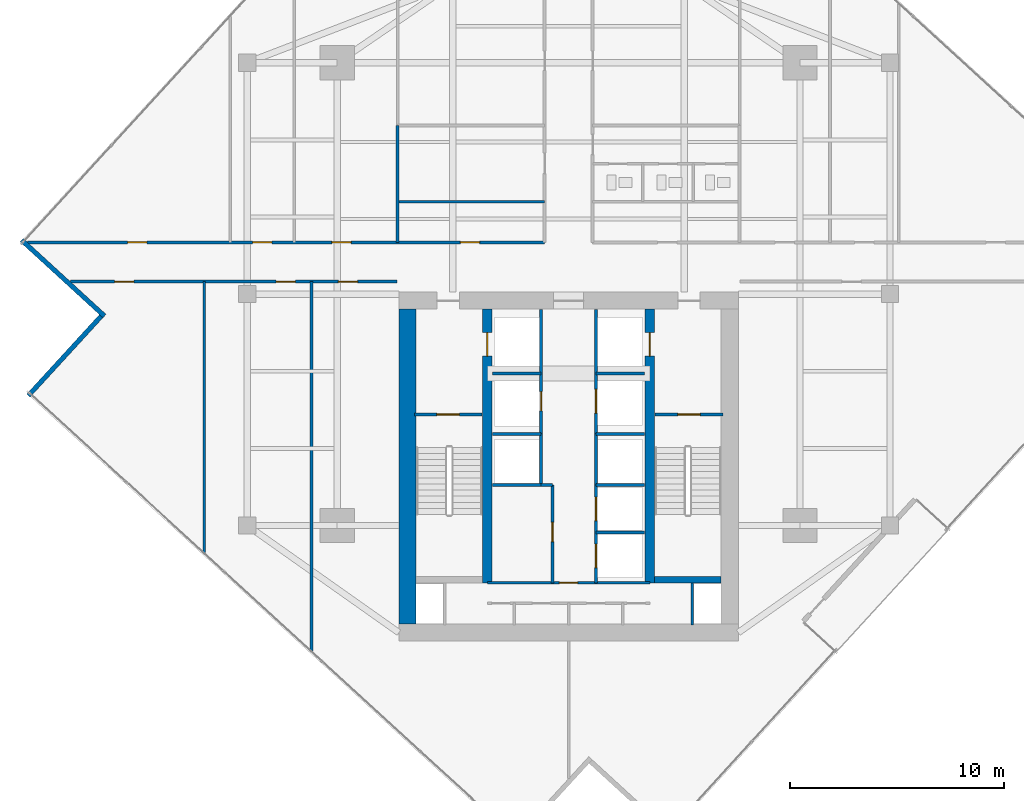
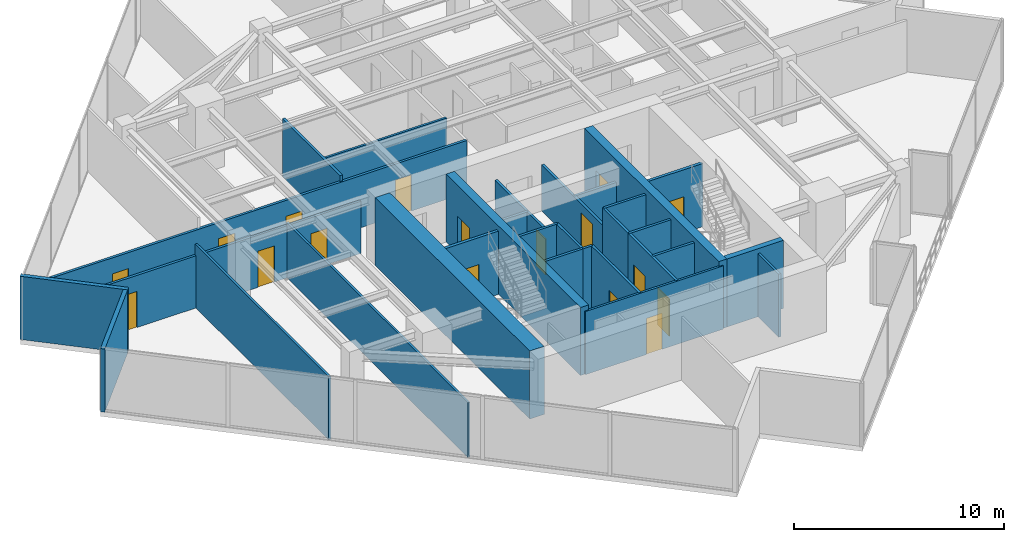
# One storey, part 22 of 26: 30 walls, 17 doors, 17 openings.
"""IFC4 building model written with IfcOpenShell, lengths in metres."""

from ifc_helpers import new_model, si_unit, direction, frame, frame_2d, origin, place, context, subcontext, project, spatial, rectangle, extrude, material, layer, layer_set, type_object, element, fill, save


model = new_model("IFC4")

# Units and contexts
model_context = context("Model", 3, precision=1e-05, world=origin(), true_north=direction((0.0, 1.0)))
body_context = subcontext(model_context, "Body", "Model", "MODEL_VIEW")
ifc_project = project(units=[si_unit("LENGTHUNIT", "METRE"), si_unit("AREAUNIT", "SQUARE_METRE"), si_unit("VOLUMEUNIT", "CUBIC_METRE"), si_unit("PLANEANGLEUNIT", "RADIAN"), si_unit("MASSUNIT", "GRAM", prefix="KILO")], contexts=[model_context])

# Site, building, storey
site_placement = place(None, origin())
site = spatial("IfcSite", under=ifc_project, at=site_placement, CompositionType="ELEMENT")
building_placement = place(site_placement, origin())
building = spatial("IfcBuilding", under=site, at=building_placement, Name="Krantzveldt Concourse Tower", CompositionType="ELEMENT")
storey_placement = place(building_placement, frame((0.0, 0.0, 219.14990234375)))
storey = spatial("IfcBuildingStorey", under=building, at=storey_placement, Name="L53", CompositionType="ELEMENT", Elevation=219.14990234375)

# Walls
ifc_material_1 = material(Name="Anodised aluminium 6063-T6", Category="aluminium")
ifc_layer_1 = layer(ifc_material_1, 0.219970703125, Name="Anodised aluminium 6063-T6", Category="aluminium")
ifc_layer_set_1 = layer_set([ifc_layer_1], Name="Anodised aluminium 6063-T6 (WL-EXT-NOTCH220)")
wall_type_1 = type_object("IfcWallType", Name="WL-EXT-NOTCH220", PredefinedType="ELEMENTEDWALL", material=ifc_layer_set_1)
wall_1_placement = place(storey_placement, frame((10.469970703125, 29.2197265625, 0.0), z_axis=(0.0, 0.0, 1.0), x_axis=(0.737293236511, -0.675572855727, 0.0)))
element("IfcWall", 1, at=wall_1_placement, inside=storey, type_object=wall_type_1, Name="EW-L53-NCH02", PredefinedType="ELEMENTEDWALL", context=body_context, shape_type="SweptSolid", body=[
    extrude(rectangle(XDim=5.2451171875, YDim=0.219970703125, at=frame_2d((2.62255859375, 0.0))), origin(), (0.0, 0.0, 1.0), 3.670166015625),
])
wall_2_placement = place(storey_placement, frame((14.181640625, 25.66943359375, 0.0), z_axis=(0.0, 0.0, 1.0), x_axis=(-0.675581609375, -0.737285215553, 0.0)))
element("IfcWall", 2, at=wall_2_placement, inside=storey, type_object=wall_type_1, Name="EW-L53-NCH03", PredefinedType="ELEMENTEDWALL", context=body_context, shape_type="SweptSolid", body=[
    extrude(rectangle(XDim=5.02490234375, YDim=0.219970703125, at=frame_2d((2.512451171875, 0.0))), origin(), (0.0, 0.0, 1.0), 3.670166015625),
])

# Wall, opening, door
ifc_material_2 = material(Name="Fire-rated gypsum plasterboard on steel stud", Category="steel")
ifc_layer_2 = layer(ifc_material_2, 0.1201171875, Name="Fire-rated gypsum plasterboard on steel stud", Category="steel")
ifc_layer_set_2 = layer_set([ifc_layer_2], Name="Fire-rated gypsum plasterboard on steel stud (WL-PART-120)")
wall_type_2 = type_object("IfcWallType", Name="WL-PART-120", PredefinedType="PARTITIONING", material=ifc_layer_set_2)
wall_3_placement = place(storey_placement, frame((32.2099609375, 13.219970703125, 0.0), z_axis=(0.0, 0.0, 1.0), x_axis=(1.0, 0.0, 0.0)))
wall_3 = element("IfcWall", 3, at=wall_3_placement, inside=storey, type_object=wall_type_2, Name="WP-L53-CS2H", PredefinedType="PARTITIONING", context=body_context, shape_type="SweptSolid", body=[
    extrude(rectangle(XDim=7.580078125, YDim=0.1201171875, at=frame_2d((3.7900390625, 0.0))), origin(), (0.0, 0.0, 1.0), 3.670166015625),
])
opening_1_placement = place(wall_3_placement, frame((3.364990234375, 0.0, 0.0)))
opening_1 = element("IfcOpeningElement", 4, at=opening_1_placement, cuts=wall_3, Name="Opening D-IN085", PredefinedType="OPENING", context=body_context, shape_type="SweptSolid", body=[
    extrude(rectangle(XDim=0.85009765625, YDim=2.10009765625, at=frame_2d((0.425048828125, 1.050048828125))), frame((0.0, 0.070068359375, 0.0), z_axis=(0.0, -1.0, 0.0), x_axis=(1.0, 0.0, 0.0)), (0.0, 0.0, 1.0), 0.14013671875),
])
ifc_material_3 = material(Name="Hardwood timber", Category="wood")
door_type_1 = type_object("IfcDoorType", Name="DR-INT-850", OperationType="SINGLE_SWING_LEFT", PredefinedType="DOOR", material=ifc_material_3)
door_1_placement = place(opening_1_placement, origin())
door_1 = element("IfcDoor", 5, at=door_1_placement, inside=storey, type_object=door_type_1, Name="DR-L53-LLBS", OperationType="SINGLE_SWING_RIGHT", OverallHeight=2.10009765625, OverallWidth=0.85009765625, PredefinedType="DOOR", context=body_context, shape_type="SweptSolid", body=[
    extrude(rectangle(XDim=0.85009765625, YDim=2.10009765625, at=frame_2d((0.425048828125, 1.050048828125))), frame((0.0, 0.02490234375, 0.0), z_axis=(0.0, -1.0, 0.0), x_axis=(1.0, 0.0, 0.0)), (0.0, 0.0, 1.0), 0.050048828125),
])
fill(opening_1, door_1)

# Walls
wall_4_placement = place(storey_placement, frame((28.02001953125, 31.02001953125, 0.0), z_axis=(0.0, 0.0, 1.0), x_axis=(1.0, 0.0, 0.0)))
element("IfcWall", 6, at=wall_4_placement, inside=storey, type_object=wall_type_2, Name="WP-L53-ISML", PredefinedType="PARTITIONING", context=body_context, shape_type="SweptSolid", body=[
    extrude(rectangle(XDim=6.85986328125, YDim=0.1201171875, at=frame_2d((3.429931640625, 0.0))), origin(), (0.0, 0.0, 1.0), 3.18017578125),
])
wall_5_placement = place(storey_placement, frame((19.0, 14.5947265625, 0.0), z_axis=(0.0, 0.0, 1.0), x_axis=(0.0, 1.0, 0.0)))
element("IfcWall", 7, at=wall_5_placement, inside=storey, type_object=wall_type_2, Name="WP-L53-SWX1", PredefinedType="PARTITIONING", context=body_context, shape_type="SweptSolid", body=[
    extrude(rectangle(XDim=12.685302734375, YDim=0.1201171875, at=frame_2d((6.3427734375, 0.0))), origin(), (0.0, 0.0, 1.0), 3.670166015625),
])
wall_6_placement = place(storey_placement, frame((24.0, 10.012939453125, 0.0), z_axis=(0.0, 0.0, 1.0), x_axis=(0.0, 1.0, 0.0)))
element("IfcWall", 8, at=wall_6_placement, inside=storey, type_object=wall_type_2, Name="WP-L53-SWX2", PredefinedType="PARTITIONING", context=body_context, shape_type="SweptSolid", body=[
    extrude(rectangle(XDim=17.26708984375, YDim=0.1201171875, at=frame_2d((8.633544921875, 0.0))), origin(), (0.0, 0.0, 1.0), 3.18017578125),
])

# Wall, openings, doors
ifc_layer_3 = layer(ifc_material_2, 0.139892578125, Name="Fire-rated gypsum plasterboard on steel stud", Category="steel")
ifc_layer_set_3 = layer_set([ifc_layer_3], Name="Fire-rated gypsum plasterboard on steel stud (WL-PART-140)")
wall_type_3 = type_object("IfcWallType", Name="WL-PART-140", PredefinedType="PARTITIONING", material=ifc_layer_set_3)
wall_7_placement = place(storey_placement, frame((10.749267578125, 29.1201171875, 0.0), z_axis=(0.0, 0.0, 1.0), x_axis=(1.0, 0.0, 0.0)))
wall_7 = element("IfcWall", 9, at=wall_7_placement, inside=storey, type_object=wall_type_3, Name="WP-L53-EWNL", PredefinedType="PARTITIONING", context=body_context, shape_type="SweptSolid", body=[
    extrude(rectangle(XDim=24.130615234375, YDim=0.139892578125, at=frame_2d((12.0654296875, 0.0))), origin(), (0.0, 0.0, 1.0), 3.030029296875),
])
opening_2_placement = place(wall_7_placement, frame((20.200927734375, 0.0, 0.0)))
opening_2 = element("IfcOpeningElement", 10, at=opening_2_placement, cuts=wall_7, Name="Opening D-IN090", PredefinedType="OPENING", context=body_context, shape_type="SweptSolid", body=[
    extrude(rectangle(XDim=0.89990234375, YDim=2.10009765625, at=frame_2d((0.449951171875, 1.050048828125))), frame((0.0, 0.080078125, 0.0), z_axis=(0.0, -1.0, 0.0), x_axis=(1.0, 0.0, 0.0)), (0.0, 0.0, 1.0), 0.159912109375),
])
opening_3_placement = place(wall_7_placement, frame((4.663818359375, 0.0, 0.0)))
opening_3 = element("IfcOpeningElement", 11, at=opening_3_placement, cuts=wall_7, Name="Opening D-IN090", PredefinedType="OPENING", context=body_context, shape_type="SweptSolid", body=[
    extrude(rectangle(XDim=0.89990234375, YDim=2.10009765625, at=frame_2d((0.449951171875, 1.050048828125))), frame((0.0, 0.080078125, 0.0), z_axis=(0.0, -1.0, 0.0), x_axis=(1.0, 0.0, 0.0)), (0.0, 0.0, 1.0), 0.159912109375),
])
opening_4_placement = place(wall_7_placement, frame((10.500732421875, 0.0, 0.0)))
opening_4 = element("IfcOpeningElement", 12, at=opening_4_placement, cuts=wall_7, Name="Opening D-IN090", PredefinedType="OPENING", context=body_context, shape_type="SweptSolid", body=[
    extrude(rectangle(XDim=0.89990234375, YDim=2.10009765625, at=frame_2d((0.449951171875, 1.050048828125))), frame((0.0, 0.080078125, 0.0), z_axis=(0.0, -1.0, 0.0), x_axis=(1.0, 0.0, 0.0)), (0.0, 0.0, 1.0), 0.159912109375),
])
opening_5_placement = place(wall_7_placement, frame((14.200927734375, 0.0, 0.0)))
opening_5 = element("IfcOpeningElement", 13, at=opening_5_placement, cuts=wall_7, Name="Opening D-IN090", PredefinedType="OPENING", context=body_context, shape_type="SweptSolid", body=[
    extrude(rectangle(XDim=0.89990234375, YDim=2.10009765625, at=frame_2d((0.449951171875, 1.050048828125))), frame((0.0, 0.080078125, 0.0), z_axis=(0.0, -1.0, 0.0), x_axis=(1.0, 0.0, 0.0)), (0.0, 0.0, 1.0), 0.159912109375),
])
door_type_2 = type_object("IfcDoorType", Name="DR-INT-900", OperationType="SINGLE_SWING_LEFT", PredefinedType="DOOR", material=ifc_material_3)
door_2_placement = place(opening_2_placement, origin())
door_2 = element("IfcDoor", 14, at=door_2_placement, inside=storey, type_object=door_type_2, Name="DR-L53-ALCL", OperationType="SINGLE_SWING_LEFT", OverallHeight=2.10009765625, OverallWidth=0.89990234375, PredefinedType="DOOR", context=body_context, shape_type="SweptSolid", body=[
    extrude(rectangle(XDim=0.89990234375, YDim=2.10009765625, at=frame_2d((0.449951171875, 1.050048828125))), frame((0.0, 0.02490234375, 0.0), z_axis=(0.0, -1.0, 0.0), x_axis=(1.0, 0.0, 0.0)), (0.0, 0.0, 1.0), 0.050048828125),
])
fill(opening_2, door_2)
door_3_placement = place(opening_3_placement, origin())
door_3 = element("IfcDoor", 15, at=door_3_placement, inside=storey, type_object=door_type_2, Name="DR-L53-NWX1", OperationType="SINGLE_SWING_LEFT", OverallHeight=2.10009765625, OverallWidth=0.89990234375, PredefinedType="DOOR", context=body_context, shape_type="SweptSolid", body=[
    extrude(rectangle(XDim=0.89990234375, YDim=2.10009765625, at=frame_2d((0.449951171875, 1.050048828125))), frame((0.0, 0.02490234375, 0.0), z_axis=(0.0, -1.0, 0.0), x_axis=(1.0, 0.0, 0.0)), (0.0, 0.0, 1.0), 0.050048828125),
])
fill(opening_3, door_3)
door_4_placement = place(opening_4_placement, origin())
door_4 = element("IfcDoor", 16, at=door_4_placement, inside=storey, type_object=door_type_2, Name="DR-L53-NWX2", OperationType="SINGLE_SWING_LEFT", OverallHeight=2.10009765625, OverallWidth=0.89990234375, PredefinedType="DOOR", context=body_context, shape_type="SweptSolid", body=[
    extrude(rectangle(XDim=0.89990234375, YDim=2.10009765625, at=frame_2d((0.449951171875, 1.050048828125))), frame((0.0, 0.02490234375, 0.0), z_axis=(0.0, -1.0, 0.0), x_axis=(1.0, 0.0, 0.0)), (0.0, 0.0, 1.0), 0.050048828125),
])
fill(opening_4, door_4)
door_5_placement = place(opening_5_placement, origin())
door_5 = element("IfcDoor", 17, at=door_5_placement, inside=storey, type_object=door_type_2, Name="DR-L53-NWX3", OperationType="SINGLE_SWING_LEFT", OverallHeight=2.10009765625, OverallWidth=0.89990234375, PredefinedType="DOOR", context=body_context, shape_type="SweptSolid", body=[
    extrude(rectangle(XDim=0.89990234375, YDim=2.10009765625, at=frame_2d((0.449951171875, 1.050048828125))), frame((0.0, 0.02490234375, 0.0), z_axis=(0.0, -1.0, 0.0), x_axis=(1.0, 0.0, 0.0)), (0.0, 0.0, 1.0), 0.050048828125),
])
fill(opening_5, door_5)

wall_8_placement = place(storey_placement, frame((12.757080078125, 27.280029296875, 0.0), z_axis=(0.0, 0.0, 1.0), x_axis=(1.0, 0.0, 0.0)))
wall_8 = element("IfcWall", 18, at=wall_8_placement, inside=storey, type_object=wall_type_3, Name="WP-L53-EWSL", PredefinedType="PARTITIONING", context=body_context, shape_type="SweptSolid", body=[
    extrude(rectangle(XDim=15.242919921875, YDim=0.139892578125, at=frame_2d((7.62158203125, 0.0))), origin(), (0.0, 0.0, 1.0), 3.030029296875),
])
opening_6_placement = place(wall_8_placement, frame((2.055908203125, 0.0, 0.0)))
opening_6 = element("IfcOpeningElement", 19, at=opening_6_placement, cuts=wall_8, Name="Opening D-IN090", PredefinedType="OPENING", context=body_context, shape_type="SweptSolid", body=[
    extrude(rectangle(XDim=0.89990234375, YDim=2.10009765625, at=frame_2d((0.449951171875, 1.050048828125))), frame((0.0, 0.080078125, 0.0), z_axis=(0.0, -1.0, 0.0), x_axis=(1.0, 0.0, 0.0)), (0.0, 0.0, 1.0), 0.159912109375),
])
opening_7_placement = place(wall_8_placement, frame((9.5927734375, 0.0, 0.0)))
opening_7 = element("IfcOpeningElement", 20, at=opening_7_placement, cuts=wall_8, Name="Opening D-IN090", PredefinedType="OPENING", context=body_context, shape_type="SweptSolid", body=[
    extrude(rectangle(XDim=0.89990234375, YDim=2.10009765625, at=frame_2d((0.449951171875, 1.050048828125))), frame((0.0, 0.080078125, 0.0), z_axis=(0.0, -1.0, 0.0), x_axis=(1.0, 0.0, 0.0)), (0.0, 0.0, 1.0), 0.159912109375),
])
opening_8_placement = place(wall_8_placement, frame((12.492919921875, 0.0, 0.0)))
opening_8 = element("IfcOpeningElement", 21, at=opening_8_placement, cuts=wall_8, Name="Opening D-IN090", PredefinedType="OPENING", context=body_context, shape_type="SweptSolid", body=[
    extrude(rectangle(XDim=0.89990234375, YDim=2.10009765625, at=frame_2d((0.449951171875, 1.050048828125))), frame((0.0, 0.080078125, 0.0), z_axis=(0.0, -1.0, 0.0), x_axis=(1.0, 0.0, 0.0)), (0.0, 0.0, 1.0), 0.159912109375),
])
door_6_placement = place(opening_6_placement, origin())
door_6 = element("IfcDoor", 22, at=door_6_placement, inside=storey, type_object=door_type_2, Name="DR-L53-SWX1", OperationType="SINGLE_SWING_LEFT", OverallHeight=2.10009765625, OverallWidth=0.89990234375, PredefinedType="DOOR", context=body_context, shape_type="SweptSolid", body=[
    extrude(rectangle(XDim=0.89990234375, YDim=2.10009765625, at=frame_2d((0.449951171875, 1.050048828125))), frame((0.0, 0.02490234375, 0.0), z_axis=(0.0, -1.0, 0.0), x_axis=(1.0, 0.0, 0.0)), (0.0, 0.0, 1.0), 0.050048828125),
])
fill(opening_6, door_6)
door_7_placement = place(opening_7_placement, origin())
door_7 = element("IfcDoor", 23, at=door_7_placement, inside=storey, type_object=door_type_2, Name="DR-L53-SWX2", OperationType="SINGLE_SWING_LEFT", OverallHeight=2.10009765625, OverallWidth=0.89990234375, PredefinedType="DOOR", context=body_context, shape_type="SweptSolid", body=[
    extrude(rectangle(XDim=0.89990234375, YDim=2.10009765625, at=frame_2d((0.449951171875, 1.050048828125))), frame((0.0, 0.02490234375, 0.0), z_axis=(0.0, -1.0, 0.0), x_axis=(1.0, 0.0, 0.0)), (0.0, 0.0, 1.0), 0.050048828125),
])
fill(opening_7, door_7)
door_8_placement = place(opening_8_placement, origin())
door_8 = element("IfcDoor", 24, at=door_8_placement, inside=storey, type_object=door_type_2, Name="DR-L53-SWX3", OperationType="SINGLE_SWING_LEFT", OverallHeight=2.10009765625, OverallWidth=0.89990234375, PredefinedType="DOOR", context=body_context, shape_type="SweptSolid", body=[
    extrude(rectangle(XDim=0.89990234375, YDim=2.10009765625, at=frame_2d((0.449951171875, 1.050048828125))), frame((0.0, 0.02490234375, 0.0), z_axis=(0.0, -1.0, 0.0), x_axis=(1.0, 0.0, 0.0)), (0.0, 0.0, 1.0), 0.050048828125),
])
fill(opening_8, door_8)

# Wall
wall_9_placement = place(storey_placement, frame((28.02001953125, 29.1201171875, 0.0), z_axis=(0.0, 0.0, 1.0), x_axis=(0.0, 1.0, 0.0)))
element("IfcWall", 25, at=wall_9_placement, inside=storey, type_object=wall_type_3, Name="WP-L53-ISWL", PredefinedType="PARTITIONING", context=body_context, shape_type="SweptSolid", body=[
    extrude(rectangle(XDim=5.4599609375, YDim=0.139892578125, at=frame_2d((2.72998046875, 0.0))), origin(), (0.0, 0.0, 1.0), 3.3701171875),
])

# Wall, opening, door
ifc_layer_4 = layer(ifc_material_2, 0.139892578125, Name="Fire-rated gypsum plasterboard on steel stud", Category="steel")
ifc_layer_set_4 = layer_set([ifc_layer_4], Name="Fire-rated gypsum plasterboard on steel stud (WL-PART-FR140)")
wall_type_4 = type_object("IfcWallType", Name="WL-PART-FR140", PredefinedType="PARTITIONING", material=ifc_layer_set_4)
wall_10_placement = place(storey_placement, frame((34.719970703125, 20.199951171875, 0.0), z_axis=(0.0, 0.0, 1.0), x_axis=(0.0, 1.0, 0.0)))
wall_10 = element("IfcWall", 26, at=wall_10_placement, inside=storey, type_object=wall_type_4, Name="WP-L53-SHNW", PredefinedType="PARTITIONING", context=body_context, shape_type="SweptSolid", body=[
    extrude(rectangle(XDim=5.780029296875, YDim=0.139892578125, at=frame_2d((2.89013671875, 0.0))), origin(), (0.0, 0.0, 1.0), 2.670166015625),
])
opening_9_placement = place(wall_10_placement, frame((1.050048828125, 0.0, 0.0)))
opening_9 = element("IfcOpeningElement", 27, at=opening_9_placement, cuts=wall_10, Name="Opening D-FD090", PredefinedType="OPENING", context=body_context, shape_type="SweptSolid", body=[
    extrude(rectangle(XDim=0.89990234375, YDim=2.10009765625, at=frame_2d((0.449951171875, 1.050048828125))), frame((0.0, 0.080078125, 0.0), z_axis=(0.0, -1.0, 0.0), x_axis=(1.0, 0.0, 0.0)), (0.0, 0.0, 1.0), 0.159912109375),
])
door_type_3 = type_object("IfcDoorType", Name="DR-FD60-900", OperationType="SINGLE_SWING_LEFT", PredefinedType="DOOR", material=ifc_material_3)
door_9_placement = place(opening_9_placement, origin())
door_9 = element("IfcDoor", 28, at=door_9_placement, inside=storey, type_object=door_type_3, Name="Electrical Riser Access Door L53", OperationType="SINGLE_SWING_LEFT", OverallHeight=2.10009765625, OverallWidth=0.89990234375, PredefinedType="DOOR", context=body_context, shape_type="SweptSolid", body=[
    extrude(rectangle(XDim=0.89990234375, YDim=2.10009765625, at=frame_2d((0.449951171875, 1.050048828125))), frame((0.0, 0.02490234375, 0.0), z_axis=(0.0, -1.0, 0.0), x_axis=(1.0, 0.0, 0.0)), (0.0, 0.0, 1.0), 0.050048828125),
])
fill(opening_9, door_9)

wall_11_placement = place(storey_placement, frame((37.280029296875, 20.199951171875, 0.0), z_axis=(0.0, 0.0, 1.0), x_axis=(0.0, 1.0, 0.0)))
wall_11 = element("IfcWall", 29, at=wall_11_placement, inside=storey, type_object=wall_type_4, Name="WP-L53-SHNE", PredefinedType="PARTITIONING", context=body_context, shape_type="SweptSolid", body=[
    extrude(rectangle(XDim=5.780029296875, YDim=0.139892578125, at=frame_2d((2.89013671875, 0.0))), origin(), (0.0, 0.0, 1.0), 2.670166015625),
])
opening_10_placement = place(wall_11_placement, frame((0.949951171875, 0.0, 0.0)))
opening_10 = element("IfcOpeningElement", 30, at=opening_10_placement, cuts=wall_11, Name="Opening LD", PredefinedType="OPENING", context=body_context, shape_type="SweptSolid", body=[
    extrude(rectangle(XDim=1.10009765625, YDim=2.14990234375, at=frame_2d((0.550048828125, 1.074951171875))), frame((0.0, 0.080078125, 0.0), z_axis=(0.0, -1.0, 0.0), x_axis=(1.0, 0.0, 0.0)), (0.0, 0.0, 1.0), 0.159912109375),
])
ifc_material_4 = material(Name="Stainless steel 316L", Category="steel")
door_type_4 = type_object("IfcDoorType", Name="DR-SLIDE-LD1100", OperationType="DOUBLE_DOOR_SLIDING", PredefinedType="DOOR", material=ifc_material_4)
door_10_placement = place(opening_10_placement, origin())
door_10 = element("IfcDoor", 31, at=door_10_placement, inside=storey, type_object=door_type_4, Name="LD-L53-GL1", OperationType="DOUBLE_DOOR_SLIDING", OverallHeight=2.14990234375, OverallWidth=1.10009765625, PredefinedType="DOOR", context=body_context, shape_type="SweptSolid", body=[
    extrude(rectangle(XDim=1.10009765625, YDim=2.14990234375, at=frame_2d((0.550048828125, 1.074951171875))), frame((0.0, 0.02490234375, 0.0), z_axis=(0.0, -1.0, 0.0), x_axis=(1.0, 0.0, 0.0)), (0.0, 0.0, 1.0), 0.050048828125),
])
fill(opening_10, door_10)

# Walls
for number, where, z_axis, x_axis, name in (
    (32, (32.449951171875, 23.0, 0.0), (0.0, 0.0, 1.0), (1.0, 0.0, 0.0), "WP-L53-RISH"),
    (33, (37.280029296875, 23.0, 0.0), (0.0, 0.0, 1.0), (1.0, 0.0, 0.0), "WP-L53-GLH"),
):
    element("IfcWall", number, at=place(storey_placement, frame(where, z_axis=z_axis, x_axis=x_axis)), inside=storey, type_object=wall_type_4, Name=name, PredefinedType="PARTITIONING", context=body_context, shape_type="SweptSolid", body=[
        extrude(rectangle(XDim=2.27001953125, YDim=0.139892578125, at=frame_2d((1.135009765625, 0.0))), origin(), (0.0, 0.0, 1.0), 2.670166015625),
    ])
for number, where, z_axis, x_axis, name in (
    (34, (34.719970703125, 17.780029296875, 0.0), (0.0, 0.0, 1.0), (0.0, 1.0, 0.0), "WP-L53-SHNW2"),
    (35, (37.280029296875, 17.780029296875, 0.0), (0.0, 0.0, 1.0), (0.0, 1.0, 0.0), "WP-L53-SHNE2"),
):
    element("IfcWall", number, at=place(storey_placement, frame(where, z_axis=z_axis, x_axis=x_axis)), inside=storey, type_object=wall_type_4, Name=name, PredefinedType="PARTITIONING", context=body_context, shape_type="SweptSolid", body=[
        extrude(rectangle(XDim=2.419921875, YDim=0.139892578125, at=frame_2d((1.2099609375, 0.0))), origin(), (0.0, 0.0, 1.0), 3.670166015625),
    ])
for number, where, z_axis, x_axis, name in (
    (36, (32.449951171875, 17.780029296875, 0.0), (0.0, 0.0, 1.0), (1.0, 0.0, 0.0), "WP-L53-DIVW2"),
    (37, (32.449951171875, 20.179931640625, 0.0), (0.0, 0.0, 1.0), (1.0, 0.0, 0.0), "WP-L53-DIVW3"),
    (38, (37.280029296875, 17.780029296875, 0.0), (0.0, 0.0, 1.0), (1.0, 0.0, 0.0), "WP-L53-DIVE2"),
    (39, (37.280029296875, 20.179931640625, 0.0), (0.0, 0.0, 1.0), (1.0, 0.0, 0.0), "WP-L53-DIVE3"),
):
    element("IfcWall", number, at=place(storey_placement, frame(where, z_axis=z_axis, x_axis=x_axis)), inside=storey, type_object=wall_type_4, Name=name, PredefinedType="PARTITIONING", context=body_context, shape_type="SweptSolid", body=[
        extrude(rectangle(XDim=2.27001953125, YDim=0.139892578125, at=frame_2d((1.135009765625, 0.0))), origin(), (0.0, 0.0, 1.0), 3.670166015625),
    ])

# Wall, opening, door
wall_12_placement = place(storey_placement, frame((35.25, 13.219970703125, 0.0), z_axis=(0.0, 0.0, 1.0), x_axis=(0.0, 1.0, 0.0)))
wall_12 = element("IfcWall", 40, at=wall_12_placement, inside=storey, type_object=wall_type_4, Name="WP-L53-RECW", PredefinedType="PARTITIONING", context=body_context, shape_type="SweptSolid", body=[
    extrude(rectangle(XDim=4.56005859375, YDim=0.139892578125, at=frame_2d((2.280029296875, 0.0))), origin(), (0.0, 0.0, 1.0), 3.670166015625),
])
opening_11_placement = place(wall_12_placement, frame((1.929931640625, 0.0, 0.0)))
opening_11 = element("IfcOpeningElement", 41, at=opening_11_placement, cuts=wall_12, Name="Opening D-FD090", PredefinedType="OPENING", context=body_context, shape_type="SweptSolid", body=[
    extrude(rectangle(XDim=0.89990234375, YDim=2.10009765625, at=frame_2d((0.449951171875, 1.050048828125))), frame((0.0, 0.080078125, 0.0), z_axis=(0.0, -1.0, 0.0), x_axis=(1.0, 0.0, 0.0)), (0.0, 0.0, 1.0), 0.159912109375),
])
door_11_placement = place(opening_11_placement, origin())
door_11 = element("IfcDoor", 42, at=door_11_placement, inside=storey, type_object=door_type_3, Name="DR-L53-RECW", OperationType="SINGLE_SWING_LEFT", OverallHeight=2.10009765625, OverallWidth=0.89990234375, PredefinedType="DOOR", context=body_context, shape_type="SweptSolid", body=[
    extrude(rectangle(XDim=0.89990234375, YDim=2.10009765625, at=frame_2d((0.449951171875, 1.050048828125))), frame((0.0, 0.02490234375, 0.0), z_axis=(0.0, -1.0, 0.0), x_axis=(1.0, 0.0, 0.0)), (0.0, 0.0, 1.0), 0.050048828125),
])
fill(opening_11, door_11)

# Wall
wall_13_placement = place(storey_placement, frame((34.719970703125, 17.780029296875, 0.0), z_axis=(0.0, 0.0, 1.0), x_axis=(1.0, 0.0, 0.0)))
element("IfcWall", 43, at=wall_13_placement, inside=storey, type_object=wall_type_4, Name="WP-L53-RECWN", PredefinedType="PARTITIONING", context=body_context, shape_type="SweptSolid", body=[
    extrude(rectangle(XDim=0.530029296875, YDim=0.139892578125, at=frame_2d((0.26513671875, 0.0))), origin(), (0.0, 0.0, 1.0), 3.670166015625),
])

# Wall, openings, doors
wall_14_placement = place(storey_placement, frame((37.280029296875, 13.219970703125, 0.0), z_axis=(0.0, 0.0, 1.0), x_axis=(0.0, 1.0, 0.0)))
wall_14 = element("IfcWall", 44, at=wall_14_placement, inside=storey, type_object=wall_type_4, Name="WP-L53-SHSE", PredefinedType="PARTITIONING", context=body_context, shape_type="SweptSolid", body=[
    extrude(rectangle(XDim=4.56005859375, YDim=0.139892578125, at=frame_2d((2.280029296875, 0.0))), origin(), (0.0, 0.0, 1.0), 3.670166015625),
])
opening_12_placement = place(wall_14_placement, frame((0.7099609375, 0.0, 0.0)))
opening_12 = element("IfcOpeningElement", 45, at=opening_12_placement, cuts=wall_14, Name="Opening LD", PredefinedType="OPENING", context=body_context, shape_type="SweptSolid", body=[
    extrude(rectangle(XDim=1.10009765625, YDim=2.14990234375, at=frame_2d((0.550048828125, 1.074951171875))), frame((0.0, 0.080078125, 0.0), z_axis=(0.0, -1.0, 0.0), x_axis=(1.0, 0.0, 0.0)), (0.0, 0.0, 1.0), 0.159912109375),
])
opening_13_placement = place(wall_14_placement, frame((2.909912109375, 0.0, 0.0)))
opening_13 = element("IfcOpeningElement", 46, at=opening_13_placement, cuts=wall_14, Name="Opening LD", PredefinedType="OPENING", context=body_context, shape_type="SweptSolid", body=[
    extrude(rectangle(XDim=1.10009765625, YDim=2.14990234375, at=frame_2d((0.550048828125, 1.074951171875))), frame((0.0, 0.080078125, 0.0), z_axis=(0.0, -1.0, 0.0), x_axis=(1.0, 0.0, 0.0)), (0.0, 0.0, 1.0), 0.159912109375),
])
door_12_placement = place(opening_12_placement, origin())
door_12 = element("IfcDoor", 47, at=door_12_placement, inside=storey, type_object=door_type_4, Name="LD-L53-PM1", OperationType="DOUBLE_DOOR_SLIDING", OverallHeight=2.14990234375, OverallWidth=1.10009765625, PredefinedType="DOOR", context=body_context, shape_type="SweptSolid", body=[
    extrude(rectangle(XDim=1.10009765625, YDim=2.14990234375, at=frame_2d((0.550048828125, 1.074951171875))), frame((0.0, 0.02490234375, 0.0), z_axis=(0.0, -1.0, 0.0), x_axis=(1.0, 0.0, 0.0)), (0.0, 0.0, 1.0), 0.050048828125),
])
fill(opening_12, door_12)
door_13_placement = place(opening_13_placement, origin())
door_13 = element("IfcDoor", 48, at=door_13_placement, inside=storey, type_object=door_type_4, Name="LD-L53-PM2", OperationType="DOUBLE_DOOR_SLIDING", OverallHeight=2.14990234375, OverallWidth=1.10009765625, PredefinedType="DOOR", context=body_context, shape_type="SweptSolid", body=[
    extrude(rectangle(XDim=1.10009765625, YDim=2.14990234375, at=frame_2d((0.550048828125, 1.074951171875))), frame((0.0, 0.02490234375, 0.0), z_axis=(0.0, -1.0, 0.0), x_axis=(1.0, 0.0, 0.0)), (0.0, 0.0, 1.0), 0.050048828125),
])
fill(opening_13, door_13)

# Walls
wall_15_placement = place(storey_placement, frame((37.280029296875, 15.580078125, 0.0), z_axis=(0.0, 0.0, 1.0), x_axis=(1.0, 0.0, 0.0)))
element("IfcWall", 49, at=wall_15_placement, inside=storey, type_object=wall_type_4, Name="WP-L53-DIVE1", PredefinedType="PARTITIONING", context=body_context, shape_type="SweptSolid", body=[
    extrude(rectangle(XDim=2.27001953125, YDim=0.139892578125, at=frame_2d((1.135009765625, 0.0))), origin(), (0.0, 0.0, 1.0), 3.670166015625),
])
wall_16_placement = place(storey_placement, frame((41.780029296875, 11.25, 0.0), z_axis=(0.0, 0.0, 1.0), x_axis=(0.0, 1.0, 0.0)))
element("IfcWall", 50, at=wall_16_placement, inside=storey, type_object=wall_type_4, Name="WP-L53-RSE", PredefinedType="PARTITIONING", context=body_context, shape_type="SweptSolid", body=[
    extrude(rectangle(XDim=1.969970703125, YDim=0.1201171875, at=frame_2d((0.98486328125, 0.0))), origin(), (0.0, 0.0, 1.0), 3.670166015625),
])

# Wall, opening, door
ifc_layer_5 = layer(ifc_material_2, 0.159912109375, Name="Fire-rated gypsum plasterboard on steel stud", Category="steel")
ifc_layer_set_5 = layer_set([ifc_layer_5], Name="Fire-rated gypsum plasterboard on steel stud (WL-PART-FR160)")
wall_type_5 = type_object("IfcWallType", Name="WL-PART-FR160", PredefinedType="PARTITIONING", material=ifc_layer_set_5)
wall_17_placement = place(storey_placement, frame((28.800048828125, 21.080078125, 0.0), z_axis=(0.0, 0.0, 1.0), x_axis=(1.0, 0.0, 0.0)))
wall_17 = element("IfcWall", 51, at=wall_17_placement, inside=storey, type_object=wall_type_5, Name="WP-L53-ST1", PredefinedType="PARTITIONING", context=body_context, shape_type="SweptSolid", body=[
    extrude(rectangle(XDim=3.159912109375, YDim=0.159912109375, at=frame_2d((1.580078125, 0.0))), origin(), (0.0, 0.0, 1.0), 3.670166015625),
])
opening_14_placement = place(wall_17_placement, frame((1.054931640625, 0.0, 0.0)))
opening_14 = element("IfcOpeningElement", 52, at=opening_14_placement, cuts=wall_17, Name="Opening D-FD105", PredefinedType="OPENING", context=body_context, shape_type="SweptSolid", body=[
    extrude(rectangle(XDim=1.050048828125, YDim=2.10009765625, at=frame_2d((0.52490234375, 1.050048828125))), frame((0.0, 0.08984375, 0.0), z_axis=(0.0, -1.0, 0.0), x_axis=(1.0, 0.0, 0.0)), (0.0, 0.0, 1.0), 0.179931640625),
])
ifc_material_5 = material(Name="Galvanised steel", Category="steel")
door_type_5 = type_object("IfcDoorType", Name="DR-FD120-1050", OperationType="SINGLE_SWING_LEFT", PredefinedType="DOOR", material=ifc_material_5)
door_14_placement = place(opening_14_placement, origin())
door_14 = element("IfcDoor", 53, at=door_14_placement, inside=storey, type_object=door_type_5, Name="DR-L53-ST1", OperationType="SINGLE_SWING_RIGHT", OverallHeight=2.10009765625, OverallWidth=1.050048828125, PredefinedType="DOOR", context=body_context, shape_type="SweptSolid", body=[
    extrude(rectangle(XDim=1.050048828125, YDim=2.10009765625, at=frame_2d((0.52490234375, 1.050048828125))), frame((0.0, 0.02490234375, 0.0), z_axis=(0.0, -1.0, 0.0), x_axis=(1.0, 0.0, 0.0)), (0.0, 0.0, 1.0), 0.050048828125),
])
fill(opening_14, door_14)

wall_18_placement = place(storey_placement, frame((40.0400390625, 21.080078125, 0.0), z_axis=(0.0, 0.0, 1.0), x_axis=(1.0, 0.0, 0.0)))
wall_18 = element("IfcWall", 54, at=wall_18_placement, inside=storey, type_object=wall_type_5, Name="WP-L53-ST2", PredefinedType="PARTITIONING", context=body_context, shape_type="SweptSolid", body=[
    extrude(rectangle(XDim=3.159912109375, YDim=0.159912109375, at=frame_2d((1.580078125, 0.0))), origin(), (0.0, 0.0, 1.0), 3.670166015625),
])
opening_15_placement = place(wall_18_placement, frame((1.054931640625, 0.0, 0.0)))
opening_15 = element("IfcOpeningElement", 55, at=opening_15_placement, cuts=wall_18, Name="Opening D-FD105", PredefinedType="OPENING", context=body_context, shape_type="SweptSolid", body=[
    extrude(rectangle(XDim=1.050048828125, YDim=2.10009765625, at=frame_2d((0.52490234375, 1.050048828125))), frame((0.0, 0.08984375, 0.0), z_axis=(0.0, -1.0, 0.0), x_axis=(1.0, 0.0, 0.0)), (0.0, 0.0, 1.0), 0.179931640625),
])
door_15_placement = place(opening_15_placement, origin())
door_15 = element("IfcDoor", 56, at=door_15_placement, inside=storey, type_object=door_type_5, Name="DR-L53-ST2", OperationType="SINGLE_SWING_LEFT", OverallHeight=2.10009765625, OverallWidth=1.050048828125, PredefinedType="DOOR", context=body_context, shape_type="SweptSolid", body=[
    extrude(rectangle(XDim=1.050048828125, YDim=2.10009765625, at=frame_2d((0.52490234375, 1.050048828125))), frame((0.0, 0.02490234375, 0.0), z_axis=(0.0, -1.0, 0.0), x_axis=(1.0, 0.0, 0.0)), (0.0, 0.0, 1.0), 0.050048828125),
])
fill(opening_15, door_15)

# Wall
ifc_material_6 = material(Name="Concrete C50/60", Category="concrete")
ifc_layer_6 = layer(ifc_material_6, 0.300048828125, Name="Concrete C50/60", Category="concrete")
ifc_layer_set_6 = layer_set([ifc_layer_6], Name="Concrete C50/60 (WL-SHEAR-300)")
wall_type_6 = type_object("IfcWallType", Name="WL-SHEAR-300", PredefinedType="SHEAR", material=ifc_layer_set_6)
wall_19_placement = place(storey_placement, frame((40.02001953125, 13.3701171875, 0.0), z_axis=(0.0, 0.0, 1.0), x_axis=(1.0, 0.0, 0.0)))
element("IfcWall", 57, at=wall_19_placement, inside=storey, type_object=wall_type_6, Name="CW-L53-ST2S", PredefinedType="SHEAR", context=body_context, shape_type="SweptSolid", body=[
    extrude(rectangle(XDim=3.10009765625, YDim=0.300048828125, at=frame_2d((1.550048828125, 0.0))), origin(), (0.0, 0.0, 1.0), 3.9501953125),
])

# Wall, opening, door
ifc_layer_7 = layer(ifc_material_6, 0.449951171875, Name="Concrete C50/60", Category="concrete")
ifc_layer_set_7 = layer_set([ifc_layer_7], Name="Concrete C50/60 (WL-SHEAR-450)")
wall_type_7 = type_object("IfcWallType", Name="WL-SHEAR-450", PredefinedType="SHEAR", material=ifc_layer_set_7)
wall_20_placement = place(storey_placement, frame((32.205078125, 13.219970703125, 0.0), z_axis=(0.0, 0.0, 1.0), x_axis=(0.0, 1.0, 0.0)))
wall_20 = element("IfcWall", 58, at=wall_20_placement, inside=storey, type_object=wall_type_7, Name="CW-L53-IW", PredefinedType="SHEAR", context=body_context, shape_type="SweptSolid", body=[
    extrude(rectangle(XDim=12.780029296875, YDim=0.449951171875, at=frame_2d((6.39013671875, 0.0))), origin(), (0.0, 0.0, 1.0), 3.9501953125),
])
opening_16_placement = place(wall_20_placement, frame((10.580078125, 0.0, 0.0)))
opening_16 = element("IfcOpeningElement", 59, at=opening_16_placement, cuts=wall_20, Name="Opening LD", PredefinedType="OPENING", context=body_context, shape_type="SweptSolid", body=[
    extrude(rectangle(XDim=1.10009765625, YDim=2.14990234375, at=frame_2d((0.550048828125, 1.074951171875))), frame((0.0, 0.23486328125, 0.0), z_axis=(0.0, -1.0, 0.0), x_axis=(1.0, 0.0, 0.0)), (0.0, 0.0, 1.0), 0.469970703125),
])
door_16_placement = place(opening_16_placement, origin())
door_16 = element("IfcDoor", 60, at=door_16_placement, inside=storey, type_object=door_type_4, Name="LD-L53-FL1", OperationType="DOUBLE_DOOR_SLIDING", OverallHeight=2.14990234375, OverallWidth=1.10009765625, PredefinedType="DOOR", context=body_context, shape_type="SweptSolid", body=[
    extrude(rectangle(XDim=1.10009765625, YDim=2.14990234375, at=frame_2d((0.550048828125, 1.074951171875))), frame((0.0, 0.02490234375, 0.0), z_axis=(0.0, -1.0, 0.0), x_axis=(1.0, 0.0, 0.0)), (0.0, 0.0, 1.0), 0.050048828125),
])
fill(opening_16, door_16)

wall_21_placement = place(storey_placement, frame((39.794921875, 13.219970703125, 0.0), z_axis=(0.0, 0.0, 1.0), x_axis=(0.0, 1.0, 0.0)))
wall_21 = element("IfcWall", 61, at=wall_21_placement, inside=storey, type_object=wall_type_7, Name="CW-L53-IE", PredefinedType="SHEAR", context=body_context, shape_type="SweptSolid", body=[
    extrude(rectangle(XDim=12.780029296875, YDim=0.449951171875, at=frame_2d((6.39013671875, 0.0))), origin(), (0.0, 0.0, 1.0), 3.9501953125),
])
opening_17_placement = place(wall_21_placement, frame((10.580078125, 0.0, 0.0)))
opening_17 = element("IfcOpeningElement", 62, at=opening_17_placement, cuts=wall_21, Name="Opening LD", PredefinedType="OPENING", context=body_context, shape_type="SweptSolid", body=[
    extrude(rectangle(XDim=1.10009765625, YDim=2.14990234375, at=frame_2d((0.550048828125, 1.074951171875))), frame((0.0, 0.23486328125, 0.0), z_axis=(0.0, -1.0, 0.0), x_axis=(1.0, 0.0, 0.0)), (0.0, 0.0, 1.0), 0.469970703125),
])
door_17_placement = place(opening_17_placement, origin())
door_17 = element("IfcDoor", 63, at=door_17_placement, inside=storey, type_object=door_type_4, Name="LD-L53-FL2", OperationType="DOUBLE_DOOR_SLIDING", OverallHeight=2.14990234375, OverallWidth=1.10009765625, PredefinedType="DOOR", context=body_context, shape_type="SweptSolid", body=[
    extrude(rectangle(XDim=1.10009765625, YDim=2.14990234375, at=frame_2d((0.550048828125, 1.074951171875))), frame((0.0, 0.02490234375, 0.0), z_axis=(0.0, -1.0, 0.0), x_axis=(1.0, 0.0, 0.0)), (0.0, 0.0, 1.0), 0.050048828125),
])
fill(opening_17, door_17)

# Wall
ifc_material_7 = material(Name="Concrete C60/75", Category="concrete")
ifc_layer_8 = layer(ifc_material_7, 0.800048828125, Name="Concrete C60/75", Category="concrete")
ifc_layer_set_8 = layer_set([ifc_layer_8], Name="Concrete C60/75 (WL-SHEAR-800)")
wall_type_8 = type_object("IfcWallType", Name="WL-SHEAR-800", PredefinedType="SHEAR", material=ifc_layer_set_8)
wall_22_placement = place(storey_placement, frame((28.47998046875, 11.300048828125, 0.0), z_axis=(0.0, 0.0, 1.0), x_axis=(0.0, 1.0, 0.0)))
element("IfcWall", 64, at=wall_22_placement, inside=storey, type_object=wall_type_8, Name="CW-L53-W", PredefinedType="SHEAR", context=body_context, shape_type="SweptSolid", body=[
    extrude(rectangle(XDim=14.699951171875, YDim=0.800048828125, at=frame_2d((7.35009765625, 0.0))), origin(), (0.0, 0.0, 1.0), 3.9501953125),
])

save(model, "model.ifc")
